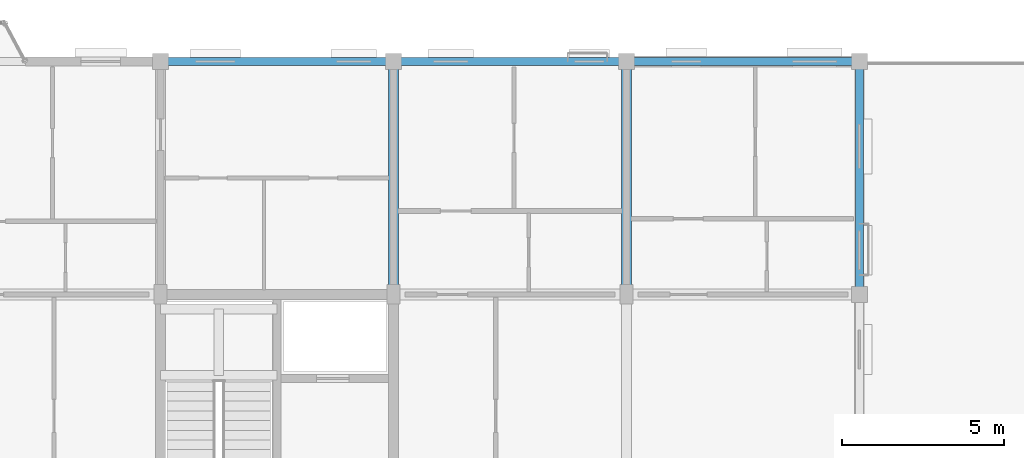
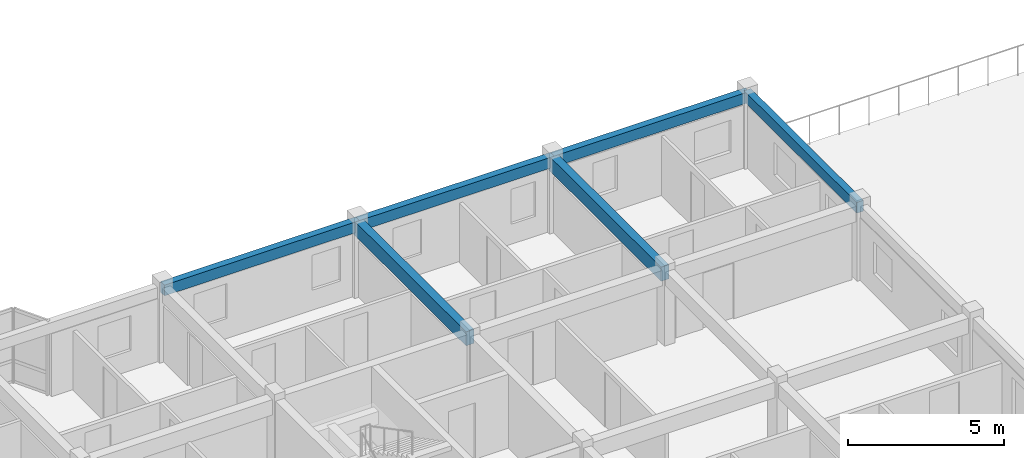
# One storey, part 35 of 64: 6 beams.
"""IFC4 building model written with IfcOpenShell, lengths in metres."""

from ifc_helpers import new_model, si_unit, direction, frame, origin, origin_2d, place, context, subcontext, project, spatial, rectangle, extrude, material, material_profile, profile_set, type_object, element, save


model = new_model("IFC4")

# Units and contexts
model_context = context("Model", 3, precision=1e-05, world=origin(), true_north=direction((0.0, 1.0)))
body_context = subcontext(model_context, "Body", "Model", "MODEL_VIEW")
ifc_project = project(units=[si_unit("LENGTHUNIT", "METRE"), si_unit("AREAUNIT", "SQUARE_METRE"), si_unit("VOLUMEUNIT", "CUBIC_METRE"), si_unit("PLANEANGLEUNIT", "RADIAN"), si_unit("MASSUNIT", "GRAM", prefix="KILO"), si_unit("THERMODYNAMICTEMPERATUREUNIT", "KELVIN"), si_unit("POWERUNIT", "WATT")], contexts=[model_context])

# Site, building, storey
site_placement = place(None, origin())
site = spatial("IfcSite", under=ifc_project, at=site_placement, CompositionType="ELEMENT")
building_placement = place(site_placement, origin())
building = spatial("IfcBuilding", under=site, at=building_placement, Name="Tavuni Mirador Residences", CompositionType="ELEMENT")
storey_placement = place(building_placement, frame((0.0, 0.0, 26.550048828125)))
storey = spatial("IfcBuildingStorey", under=building, at=storey_placement, Name="L08", CompositionType="ELEMENT", Elevation=26.550048828125)

# Beams
ifc_material = material(Name="Precast concrete C40/50", Category="concrete")
ifc_material_profile_1 = material_profile(ifc_material, rectangle(XDim=0.300048828125, YDim=0.550048828125, at=origin_2d()), Name="PC 300x550", Category="concrete")
ifc_profile_set_1 = profile_set([ifc_material_profile_1], Name="Precast concrete C40/50")
beam_type_1 = type_object("IfcBeamType", Name="BT-B550", PredefinedType="BEAM", material=ifc_profile_set_1)
for number, where, z_axis, x_axis, name in (
    (1, (46.800048828125, 165.60009765625, 2.60986328125), (0.0, 1.0, 0.0), (-1.0, 0.0, 0.0), "BMY-BLK-C-L08-05-03"),
    (2, (54.0, 165.60009765625, 2.60986328125), (0.0, 1.0, 0.0), (-1.0, 0.0, 0.0), "BMY-BLK-C-L08-06-03"),
):
    element("IfcBeam", number, at=place(storey_placement, frame(where, z_axis=z_axis, x_axis=x_axis)), inside=storey, type_object=beam_type_1, Name=name, PredefinedType="BEAM", context=body_context, shape_type="SweptSolid", body=[
        extrude(rectangle(XDim=0.300048828125, YDim=0.550048828125, at=origin_2d()), origin(), (0.0, 0.0, 1.0), 7.199951171875),
    ])
ifc_material_profile_2 = material_profile(ifc_material, rectangle(XDim=0.25, YDim=0.419921875, at=origin_2d()), Name="PC 250x420", Category="concrete")
ifc_profile_set_2 = profile_set([ifc_material_profile_2], Name="Precast concrete C40/50")
beam_type_2 = type_object("IfcBeamType", Name="BT-SP420", PredefinedType="SPANDREL", material=ifc_profile_set_2)
for number, where, z_axis, x_axis, name in (
    (3, (39.60009765625, 172.800048828125, 2.675048828125), (1.0, 0.0, 0.0), (0.0, 1.0, 0.0), "BMX-BLK-C-L08-04-04"),
    (4, (46.800048828125, 172.800048828125, 2.675048828125), (1.0, 0.0, 0.0), (0.0, 1.0, 0.0), "BMX-BLK-C-L08-05-04"),
    (5, (54.0, 172.800048828125, 2.675048828125), (1.0, 0.0, 0.0), (0.0, 1.0, 0.0), "BMX-BLK-C-L08-06-04"),
    (6, (61.199951171875, 165.60009765625, 2.675048828125), (0.0, 1.0, 0.0), (-1.0, 0.0, 0.0), "BMY-BLK-C-L08-07-03"),
):
    element("IfcBeam", number, at=place(storey_placement, frame(where, z_axis=z_axis, x_axis=x_axis)), inside=storey, type_object=beam_type_2, Name=name, PredefinedType="SPANDREL", context=body_context, shape_type="SweptSolid", body=[
        extrude(rectangle(XDim=0.25, YDim=0.419921875, at=origin_2d()), origin(), (0.0, 0.0, 1.0), 7.199951171875),
    ])

save(model, "model.ifc")
